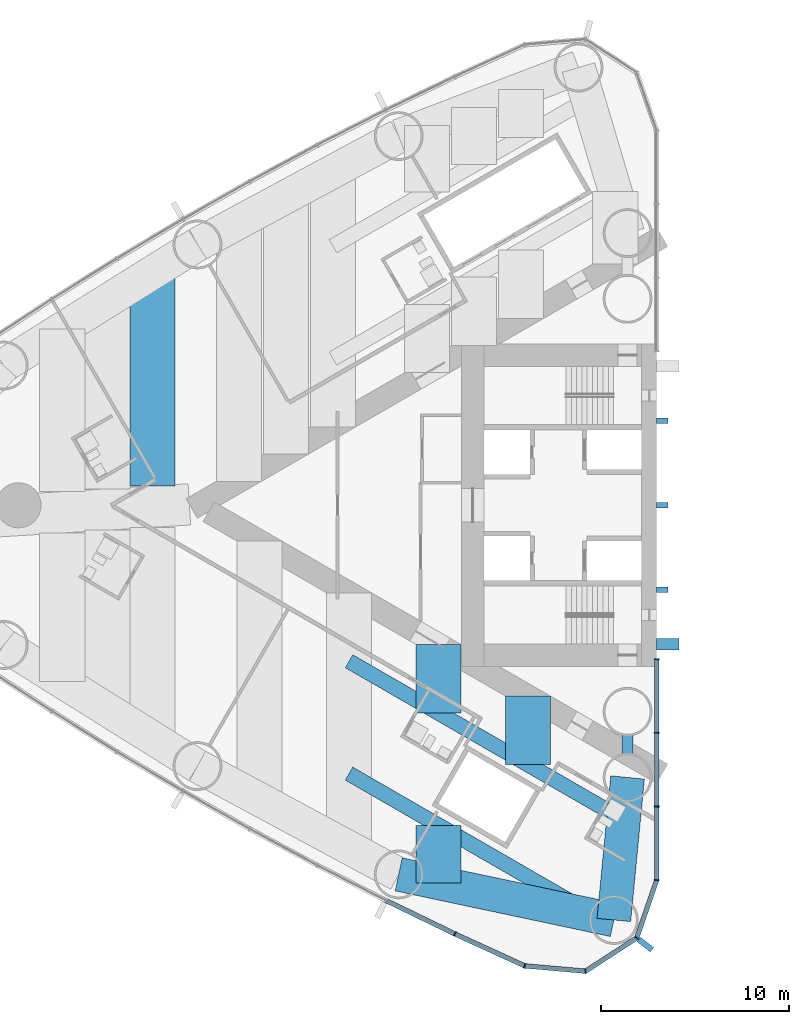
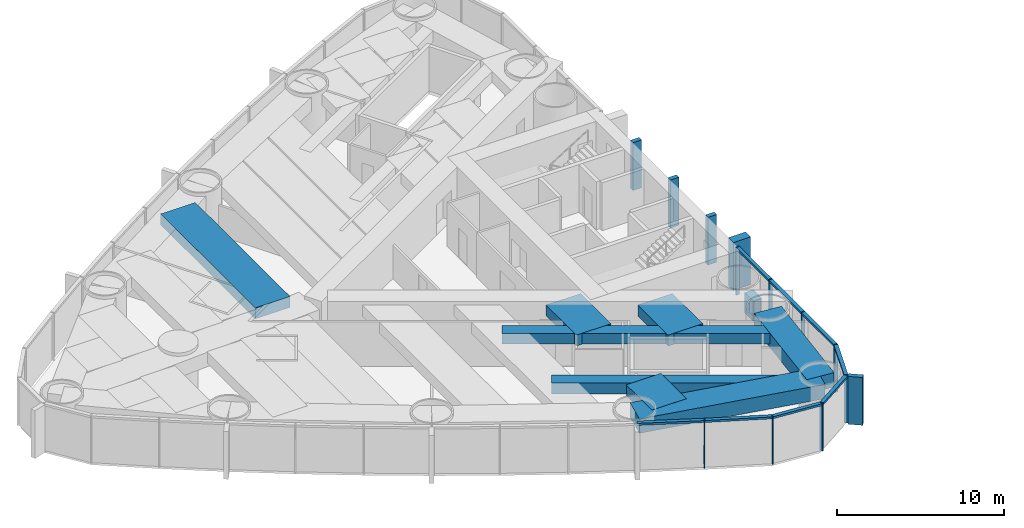
# One storey, part 3 of 18: 21 members, 9 beams, 1 element without a shape of its own.
"""IFC4 building model written with IfcOpenShell, lengths in metres."""

import ifcopenshell
import ifcopenshell.guid

model = None  # the IFC model being written
_history = None  # IfcOwnerHistory: only IFC2X3 demands one
_inside = {}  # id of a spatial element -> (the spatial element, [elements in it])
_under = {}  # id of a project, library or spatial element -> (it, [spatial elements below it])
_declared = {}  # id of a project -> (the project, [libraries it declares])
_typed = {}  # id of a type object -> (the type object, [elements of that type])
_made_of = {}  # id of a material, layer set ... -> (it, [elements and type objects made of it])


def new_model(schema):
    """Start an empty IFC model of exactly this schema.

    Asked for "IFC4X3", IfcOpenShell would pick the latest addendum, in which some entities
    have other attributes; the version numbers below select the first issue.
    IFC2X3 requires an IfcOwnerHistory on every rooted entity: one is made here for all.
    """
    global model, _history
    if schema == "IFC4X3":
        model = ifcopenshell.file(schema_version=(4, 3, 0, 0))
    else:
        model = ifcopenshell.file(schema=schema)
    _inside.clear()
    _under.clear()
    _declared.clear()
    _typed.clear()
    _made_of.clear()
    _history = None
    if model.schema == "IFC2X3":
        org = make("IfcOrganization", Name="unknown")
        user = make(
            "IfcPersonAndOrganization",
            ThePerson=make("IfcPerson", FamilyName="unknown"),
            TheOrganization=org,
        )
        app = make(
            "IfcApplication",
            ApplicationDeveloper=org,
            Version="unknown",
            ApplicationFullName="unknown",
            ApplicationIdentifier="unknown",
        )
        _history = make(
            "IfcOwnerHistory",
            OwningUser=user,
            OwningApplication=app,
            ChangeAction="ADDED",
            CreationDate=0,
        )
    return model


def make(cls, **values):
    """One entity of the class cls with the attributes given. An attribute that is None is left unset."""
    return model.create_entity(
        cls, **{name: value for name, value in values.items() if value is not None}
    )


def rooted(cls, **values):
    """An entity with a GlobalId (a new one), such as an element, a storey or a relation."""
    return make(cls, GlobalId=ifcopenshell.guid.new(), OwnerHistory=_history, **values)


def si_unit(unit_type, name, prefix=None):
    """IfcSIUnit, for example si_unit("LENGTHUNIT", "METRE", prefix="MILLI")."""
    return make("IfcSIUnit", UnitType=unit_type, Prefix=prefix, Name=name)


def assignment(units):
    """IfcUnitAssignment: the units of a project."""
    return None if units is None else make("IfcUnitAssignment", Units=units)


def point(xyz):
    """IfcCartesianPoint."""
    return None if xyz is None else make("IfcCartesianPoint", Coordinates=xyz)


def direction(xyz):
    """IfcDirection."""
    return None if xyz is None else make("IfcDirection", DirectionRatios=xyz)


def frame(location, z_axis=None, x_axis=None):
    """IfcAxis2Placement3D, a coordinate frame: its origin and axes. An axis left out is left unset."""
    return make(
        "IfcAxis2Placement3D",
        Location=point(location),
        Axis=direction(z_axis),
        RefDirection=direction(x_axis),
    )


def frame_2d(location, x_axis=None):
    """IfcAxis2Placement2D, a coordinate frame in the plane: its origin and x axis."""
    return make(
        "IfcAxis2Placement2D", Location=point(location), RefDirection=direction(x_axis)
    )


def origin():
    """The frame at (0, 0, 0) with its axes left unset."""
    return frame((0.0, 0.0, 0.0))


def origin_2d():
    """The frame at (0, 0) in the plane with its x axis left unset."""
    return frame_2d((0.0, 0.0))


def place(relative_to, where):
    """IfcLocalPlacement: puts the frame where relative to a parent placement (None: the world)."""
    return make(
        "IfcLocalPlacement", PlacementRelTo=relative_to, RelativePlacement=where
    )


def context(
    kind, dimensions, precision=None, world=None, true_north=None, identifier=None
):
    """IfcGeometricRepresentationContext, for example the 3D "Model" context."""
    return make(
        "IfcGeometricRepresentationContext",
        ContextIdentifier=identifier,
        ContextType=kind,
        CoordinateSpaceDimension=dimensions,
        Precision=precision,
        WorldCoordinateSystem=world,
        TrueNorth=true_north,
    )


def subcontext(parent, identifier, kind, view, scale=None):
    """IfcGeometricRepresentationSubContext, for example "Body" below "Model"."""
    return make(
        "IfcGeometricRepresentationSubContext",
        ContextIdentifier=identifier,
        ContextType=kind,
        ParentContext=parent,
        TargetScale=scale,
        TargetView=view,
    )


def project(units=None, contexts=None):
    """IfcProject with its units and contexts."""
    return rooted(
        "IfcProject",
        Name="project",
        RepresentationContexts=contexts,
        UnitsInContext=assignment(units),
    )


def spatial(cls, under=None, at=None, **own):
    """A site, building, storey or space (cls), placed at a placement, below another one or the project."""
    s = rooted(cls, ObjectPlacement=at, **own)
    if under is not None:
        _under.setdefault(under.id(), (under, []))[1].append(s)
    return s


def profile(cls, at=None, kind="AREA", **sizes):
    """A parametric profile (cls). Its sizes go by their IFC names, for example OverallWidth=200.0."""
    return make(cls, ProfileType=kind, Position=at, **sizes)


def rectangle(**sizes):
    """IfcRectangleProfileDef."""
    return profile("IfcRectangleProfileDef", **sizes)


def hollow_rectangle(**sizes):
    """IfcRectangleHollowProfileDef."""
    return profile("IfcRectangleHollowProfileDef", **sizes)


def extrude(swept, where, along, depth):
    """IfcExtrudedAreaSolid: the profile swept, set in the frame where, extruded along a direction by depth."""
    return make(
        "IfcExtrudedAreaSolid",
        SweptArea=swept,
        Position=where,
        ExtrudedDirection=direction(along),
        Depth=depth,
    )


def shape(context_of_items, identifier, shape_type, items):
    """IfcShapeRepresentation: the items that make up one representation, for example the "Body"."""
    return make(
        "IfcShapeRepresentation",
        ContextOfItems=context_of_items,
        RepresentationIdentifier=identifier,
        RepresentationType=shape_type,
        Items=items,
    )


def material(Name=None, Category=None):
    """IfcMaterial."""
    return make("IfcMaterial", Name=Name, Category=Category)


def material_profile(
    of_material, cross_section, Name=None, Category=None, Priority=None
):
    """IfcMaterialProfile: a cross section and its material."""
    return make(
        "IfcMaterialProfile",
        Name=Name,
        Material=of_material,
        Profile=cross_section,
        Priority=Priority,
        Category=Category,
    )


def profile_set(profiles, Name=None, composite=None):
    """IfcMaterialProfileSet."""
    return make(
        "IfcMaterialProfileSet",
        Name=Name,
        MaterialProfiles=profiles,
        CompositeProfile=composite,
    )


def made_of(thing, what):
    """Note that an element or type object is made of a material, layer set ...; save() writes the relation."""
    if what is not None:
        _made_of.setdefault(what.id(), (what, []))[1].append(thing)
    return thing


def type_object(cls, material=None, **own):
    """A type object (cls), such as IfcWallType, which elements share."""
    return made_of(rooted(cls, **own), material)


def element(
    cls,
    number,
    at=None,
    inside=None,
    cuts=None,
    type_object=None,
    material=None,
    context=None,
    identifier="Body",
    shape_type=None,
    held_by="IfcProductDefinitionShape",
    body=None,
    shapes=None,
    **own,
):
    """One element of the class cls, such as IfcWall. Its Tag is "e" and its number.

    at: its placement. inside: the storey or other place that contains it. cuts: it is an
    opening in that element (IfcRelVoidsElement). A single representation is given by context,
    identifier, shape_type and body (its items); several are given by shapes. held_by: the class
    of the entity that holds the representations. save() writes the other relations.
    """
    e = rooted(cls, Tag="e%d" % number, ObjectPlacement=at, **own)
    if body is not None:
        shapes = [shape(context, identifier, shape_type, body)]
    if shapes is not None:
        e.Representation = make(held_by, Representations=shapes)
    if inside is not None:
        _inside.setdefault(inside.id(), (inside, []))[1].append(e)
    if cuts is not None:
        rooted(
            "IfcRelVoidsElement", RelatingBuildingElement=cuts, RelatedOpeningElement=e
        )
    if type_object is not None:
        _typed.setdefault(type_object.id(), (type_object, []))[1].append(e)
    return made_of(e, material)


def aggregate(whole, parts):
    """IfcRelAggregates: a whole, such as a stair, and the parts it consists of."""
    return rooted("IfcRelAggregates", RelatingObject=whole, RelatedObjects=parts)


def save(model, path):
    """Write the relations noted so far, then the file.

    IfcRelAggregates (storeys below a building ...), IfcRelContainedInSpatialStructure (elements
    in a storey), IfcRelDefinesByType, IfcRelAssociatesMaterial and IfcRelDeclares: one each for
    every whole, place, type object, material and project.
    """
    for whole, parts in _under.values():
        aggregate(whole, parts)
    for where, things in _inside.values():
        rooted(
            "IfcRelContainedInSpatialStructure",
            RelatedElements=things,
            RelatingStructure=where,
        )
    for kind, things in _typed.values():
        rooted("IfcRelDefinesByType", RelatedObjects=things, RelatingType=kind)
    for what, things in _made_of.values():
        rooted("IfcRelAssociatesMaterial", RelatedObjects=things, RelatingMaterial=what)
    for by, libraries in _declared.values():
        rooted("IfcRelDeclares", RelatingContext=by, RelatedDefinitions=libraries)
    model.write(path)


model = new_model("IFC4")

# Units and contexts
model_context = context("Model", 3, precision=1e-05, world=origin(), true_north=direction((0.0, 1.0)))
body_context = subcontext(model_context, "Body", "Model", "MODEL_VIEW")
ifc_project = project(units=[si_unit("LENGTHUNIT", "METRE"), si_unit("AREAUNIT", "SQUARE_METRE"), si_unit("VOLUMEUNIT", "CUBIC_METRE"), si_unit("PLANEANGLEUNIT", "RADIAN"), si_unit("MASSUNIT", "GRAM", prefix="KILO")], contexts=[model_context])

# Site, building, storey
site_placement = place(None, origin())
site = spatial("IfcSite", under=ifc_project, at=site_placement, CompositionType="ELEMENT")
building_placement = place(site_placement, origin())
building = spatial("IfcBuilding", under=site, at=building_placement, Name="Lancet Gate Hotel", CompositionType="ELEMENT")
storey_placement = place(building_placement, frame((0.0, 0.0, 101.10009765625)))
storey = spatial("IfcBuildingStorey", under=building, at=storey_placement, Name="L26", CompositionType="ELEMENT", Elevation=101.10009765625)

# Curtain wall, members
ifc_material_1 = material(Name="Aluminium curtain wall", Category="aluminium")
curtain_wall_type = type_object("IfcCurtainWallType", Name="Tower unitised curtain wall", PredefinedType="USERDEFINED", material=ifc_material_1)
curtain_wall_placement = place(storey_placement, origin())
curtain_wall = element("IfcCurtainWall", 1, at=curtain_wall_placement, inside=storey, type_object=curtain_wall_type, Name="T1 L26 curtain wall 1", ObjectType="UNITISED CURTAIN WALL", PredefinedType="USERDEFINED")
ifc_material_2 = material(Name="Aluminium mullion", Category="aluminium")
ifc_material_profile_1 = material_profile(ifc_material_2, rectangle(XDim=0.06494140625, YDim=0.25, at=origin_2d()), Name="MULLION 65x250")
ifc_profile_set_1 = profile_set([ifc_material_profile_1], Name="Aluminium mullion")
member_type_1 = type_object("IfcMemberType", Name="Aluminium mullion 65x250", PredefinedType="MULLION", material=ifc_profile_set_1)
member_1_placement = place(storey_placement, frame((-38.25244140625, -22.83642578125, 0.0), z_axis=(0.0, 0.0, 1.0), x_axis=(0.904719609771, -0.426007544178, 0.0)))
member_1 = element("IfcMember", 2, at=member_1_placement, type_object=member_type_1, Name="T1 L26 curtain wall 1 mullion 29", PredefinedType="MULLION", context=body_context, shape_type="SweptSolid", body=[
    extrude(rectangle(XDim=0.06494140625, YDim=0.25, at=origin_2d()), origin(), (0.0, 0.0, 1.0), 3.5),
])
member_2_placement = place(storey_placement, frame((-34.5322265625, -24.53955078125, 0.0), z_axis=(0.0, 0.0, 1.0), x_axis=(0.961653318232, -0.27426792655, 0.0)))
member_2 = element("IfcMember", 3, at=member_2_placement, type_object=member_type_1, Name="T1 L26 curtain wall 1 mullion 30", PredefinedType="MULLION", context=body_context, shape_type="SweptSolid", body=[
    extrude(rectangle(XDim=0.06494140625, YDim=0.25, at=origin_2d()), origin(), (0.0, 0.0, 1.0), 3.5),
])
member_3_placement = place(storey_placement, frame((-31.289306640625, -24.822265625, 0.0), z_axis=(0.0, 0.0, 1.0), x_axis=(0.970242142288, 0.242136707934, 0.0)))
member_3 = element("IfcMember", 4, at=member_3_placement, type_object=member_type_1, Name="T1 L26 curtain wall 1 mullion 31", PredefinedType="MULLION", context=body_context, shape_type="SweptSolid", body=[
    extrude(rectangle(XDim=0.06494140625, YDim=0.25, at=origin_2d()), origin(), (0.0, 0.0, 1.0), 3.5),
])
member_4_placement = place(storey_placement, frame((-28.5595703125, -23.049072265625, 0.0), z_axis=(0.0, 0.0, 1.0), x_axis=(0.615574240878, 0.788078900851, 0.0)))
member_4 = element("IfcMember", 5, at=member_4_placement, type_object=member_type_1, Name="T1 L26 curtain wall 1 mullion 32", PredefinedType="MULLION", context=body_context, shape_type="SweptSolid", body=[
    extrude(rectangle(XDim=0.06494140625, YDim=0.25, at=origin_2d()), origin(), (0.0, 0.0, 1.0), 3.5),
])
member_5_placement = place(storey_placement, frame((-27.5, -19.97119140625, 0.0), z_axis=(0.0, 0.0, 1.0), x_axis=(0.149634446211, 0.988741388082, 0.0)))
member_5 = element("IfcMember", 6, at=member_5_placement, type_object=member_type_1, Name="T1 L26 curtain wall 1 mullion 33", PredefinedType="MULLION", context=body_context, shape_type="SweptSolid", body=[
    extrude(rectangle(XDim=0.06494140625, YDim=0.25, at=origin_2d()), origin(), (0.0, 0.0, 1.0), 3.5),
])
member_6_placement = place(storey_placement, frame((-27.5, -16.04736328125, 0.0), z_axis=(0.0, 0.0, 1.0), x_axis=(0.0, 1.0, 0.0)))
member_6 = element("IfcMember", 7, at=member_6_placement, type_object=member_type_1, Name="T1 L26 curtain wall 1 mullion 34", PredefinedType="MULLION", context=body_context, shape_type="SweptSolid", body=[
    extrude(rectangle(XDim=0.06494140625, YDim=0.25, at=origin_2d()), origin(), (0.0, 0.0, 1.0), 3.5),
])
member_7_placement = place(storey_placement, frame((-27.5, -12.123779296875, 0.0), z_axis=(0.0, 0.0, 1.0), x_axis=(0.0, 1.0, 0.0)))
member_7 = element("IfcMember", 8, at=member_7_placement, type_object=member_type_1, Name="T1 L26 curtain wall 1 mullion 35", PredefinedType="MULLION", context=body_context, shape_type="SweptSolid", body=[
    extrude(rectangle(XDim=0.06494140625, YDim=0.25, at=origin_2d()), origin(), (0.0, 0.0, 1.0), 3.5),
])
member_8_placement = place(storey_placement, frame((-27.5, -8.199951171875, 0.0), z_axis=(0.0, 0.0, 1.0), x_axis=(0.0, 1.0, 0.0)))
member_8 = element("IfcMember", 9, at=member_8_placement, type_object=member_type_1, Name="T1 L26 curtain wall 1 mullion 36", PredefinedType="MULLION", context=body_context, shape_type="SweptSolid", body=[
    extrude(rectangle(XDim=0.06494140625, YDim=0.25, at=origin_2d()), origin(), (0.0, 0.0, 1.0), 3.5),
])
ifc_material_3 = material(Name="Aluminium transom", Category="aluminium")
ifc_material_profile_2 = material_profile(ifc_material_3, rectangle(XDim=0.25, YDim=0.14990234375, at=origin_2d()), Name="TRANSOM 250x150")
ifc_profile_set_2 = profile_set([ifc_material_profile_2], Name="Aluminium transom")
member_type_2 = type_object("IfcMemberType", Name="Aluminium transom 250x150", PredefinedType="USERDEFINED", material=ifc_profile_set_2)
member_9_placement = place(storey_placement, frame((-41.906005859375, -21.067626953125, 3.4248046875), z_axis=(0.900065677074, -0.435754262117, 0.0), x_axis=(0.435754262117, 0.900065677074, 0.0)))
member_9 = element("IfcMember", 10, at=member_9_placement, type_object=member_type_2, Name="T1 L26 curtain wall 1 transom 28", ObjectType="TRANSOM", PredefinedType="USERDEFINED", context=body_context, shape_type="SweptSolid", body=[
    extrude(rectangle(XDim=0.25, YDim=0.14990234375, at=origin_2d()), origin(), (0.0, 0.0, 1.0), 4.026611328125),
])
member_10_placement = place(storey_placement, frame((-38.222900390625, -22.849853515625, 3.4248046875), z_axis=(0.909252284196, -0.416245460857, 0.0), x_axis=(0.416245460857, 0.909252284196, 0.0)))
member_10 = element("IfcMember", 11, at=member_10_placement, type_object=member_type_2, Name="T1 L26 curtain wall 1 transom 29", ObjectType="TRANSOM", PredefinedType="USERDEFINED", context=body_context, shape_type="SweptSolid", body=[
    extrude(rectangle(XDim=0.25, YDim=0.14990234375, at=origin_2d()), origin(), (0.0, 0.0, 1.0), 4.026611328125),
])
member_11_placement = place(storey_placement, frame((-34.499755859375, -24.542236328125, 3.4248046875), z_axis=(0.996213545522, -0.086940046686, 0.0), x_axis=(0.086940046686, 0.996213545522, 0.0)))
member_11 = element("IfcMember", 12, at=member_11_placement, type_object=member_type_2, Name="T1 L26 curtain wall 1 transom 30", ObjectType="TRANSOM", PredefinedType="USERDEFINED", context=body_context, shape_type="SweptSolid", body=[
    extrude(rectangle(XDim=0.25, YDim=0.14990234375, at=origin_2d()), origin(), (0.0, 0.0, 1.0), 3.18994140625),
])
member_12_placement = place(storey_placement, frame((-31.261962890625, -24.8046875, 3.4248046875), z_axis=(0.838550259452, 0.544824249068, 0.0), x_axis=(-0.544824249068, 0.838550259452, 0.0)))
member_12 = element("IfcMember", 13, at=member_12_placement, type_object=member_type_2, Name="T1 L26 curtain wall 1 transom 31", ObjectType="TRANSOM", PredefinedType="USERDEFINED", context=body_context, shape_type="SweptSolid", body=[
    extrude(rectangle(XDim=0.25, YDim=0.14990234375, at=origin_2d()), origin(), (0.0, 0.0, 1.0), 3.190185546875),
])
member_13_placement = place(storey_placement, frame((-28.549072265625, -23.018310546875, 3.4248046875), z_axis=(0.32553312754, 0.945530635609, 0.0), x_axis=(-0.945530635609, 0.32553312754, 0.0)))
member_13 = element("IfcMember", 14, at=member_13_placement, type_object=member_type_2, Name="T1 L26 curtain wall 1 transom 32", ObjectType="TRANSOM", PredefinedType="USERDEFINED", context=body_context, shape_type="SweptSolid", body=[
    extrude(rectangle(XDim=0.25, YDim=0.14990234375, at=origin_2d()), origin(), (0.0, 0.0, 1.0), 3.1904296875),
])
member_14_placement = place(storey_placement, frame((-27.5, -19.9384765625, 3.4248046875), z_axis=(0.0, 1.0, 0.0), x_axis=(-1.0, 0.0, 0.0)))
member_14 = element("IfcMember", 15, at=member_14_placement, type_object=member_type_2, Name="T1 L26 curtain wall 1 transom 33", ObjectType="TRANSOM", PredefinedType="USERDEFINED", context=body_context, shape_type="SweptSolid", body=[
    extrude(rectangle(XDim=0.25, YDim=0.14990234375, at=origin_2d()), origin(), (0.0, 0.0, 1.0), 3.858642578125),
])
member_15_placement = place(storey_placement, frame((-27.5, -16.014892578125, 3.4248046875), z_axis=(0.0, 1.0, 0.0), x_axis=(-1.0, 0.0, 0.0)))
member_15 = element("IfcMember", 16, at=member_15_placement, type_object=member_type_2, Name="T1 L26 curtain wall 1 transom 34", ObjectType="TRANSOM", PredefinedType="USERDEFINED", context=body_context, shape_type="SweptSolid", body=[
    extrude(rectangle(XDim=0.25, YDim=0.14990234375, at=origin_2d()), origin(), (0.0, 0.0, 1.0), 3.858642578125),
])
member_16_placement = place(storey_placement, frame((-27.5, -12.09130859375, 3.4248046875), z_axis=(0.0, 1.0, 0.0), x_axis=(-1.0, 0.0, 0.0)))
member_16 = element("IfcMember", 17, at=member_16_placement, type_object=member_type_2, Name="T1 L26 curtain wall 1 transom 35", ObjectType="TRANSOM", PredefinedType="USERDEFINED", context=body_context, shape_type="SweptSolid", body=[
    extrude(rectangle(XDim=0.25, YDim=0.14990234375, at=origin_2d()), origin(), (0.0, 0.0, 1.0), 3.85888671875),
])

# Beams
ifc_material_4 = material(Name="Concrete C50/60", Category="concrete")
ifc_material_profile_3 = material_profile(ifc_material_4, rectangle(XDim=1.800048828125, YDim=1.050048828125, at=origin_2d()), Name="RC 1800x1050")
ifc_profile_set_3 = profile_set([ifc_material_profile_3], Name="Concrete C50/60")
beam_type_1 = type_object("IfcBeamType", Name="Edge beam RC 1800x1050", PredefinedType="SPANDREL", material=ifc_profile_set_3)
beam_1_placement = place(storey_placement, frame((-41.244873046875, -19.665771484375, 2.724853515625), z_axis=(0.978282156247, -0.207277646573, 0.0), x_axis=(0.207277646573, 0.978282156247, 0.0)))
element("IfcBeam", 18, at=beam_1_placement, inside=storey, type_object=beam_type_1, Name="T1 edge beam EB1 L26", PredefinedType="SPANDREL", context=body_context, shape_type="SweptSolid", body=[
    extrude(rectangle(XDim=1.800048828125, YDim=1.050048828125, at=origin_2d()), origin(), (0.0, 0.0, 1.0), 11.71826171875),
])
beam_2_placement = place(storey_placement, frame((-29.050048828125, -14.5, 2.724853515625), z_axis=(-0.095802643786, -0.995400348324, 0.0), x_axis=(0.995400348324, -0.095802643786, 0.0)))
element("IfcBeam", 19, at=beam_2_placement, inside=storey, type_object=beam_type_1, Name="T1 edge beam EB1 L26", PredefinedType="SPANDREL", context=body_context, shape_type="SweptSolid", body=[
    extrude(rectangle(XDim=1.800048828125, YDim=1.050048828125, at=origin_2d()), origin(), (0.0, 0.0, 1.0), 7.6298828125),
])

# Member
ifc_material_5 = material(Name="Concrete C60/75", Category="concrete")
ifc_material_profile_4 = material_profile(ifc_material_5, rectangle(XDim=0.60009765625, YDim=1.199951171875, at=origin_2d()), Name="FIN 600x1200")
ifc_profile_set_4 = profile_set([ifc_material_profile_4], Name="Concrete C60/75")
member_type_3 = type_object("IfcMemberType", Name="Exposed concrete buttress pilaster 600x1200", PredefinedType="USERDEFINED", material=ifc_profile_set_4)
member_17_placement = place(storey_placement, frame((-26.909912109375, -7.39990234375, 0.0), z_axis=(0.0, 0.0, 1.0), x_axis=(0.0, 1.0, 0.0)))
element("IfcMember", 20, at=member_17_placement, inside=storey, type_object=member_type_3, Name="T1 buttress pilaster N L26", ObjectType="FIN", PredefinedType="USERDEFINED", context=body_context, shape_type="SweptSolid", body=[
    extrude(rectangle(XDim=0.60009765625, YDim=1.199951171875, at=origin_2d()), origin(), (0.0, 0.0, 1.0), 3.5),
])

ifc_material_6 = material(Name="Precast concrete C50/60", Category="concrete")
ifc_material_profile_5 = material_profile(ifc_material_6, rectangle(XDim=0.300048828125, YDim=0.89990234375, at=origin_2d()), Name="FIN 300x900")
ifc_profile_set_5 = profile_set([ifc_material_profile_5], Name="Precast concrete C50/60")
member_type_4 = type_object("IfcMemberType", Name="Exposed concrete fin 300x900", PredefinedType="USERDEFINED", material=ifc_profile_set_5)
member_18_placement = place(storey_placement, frame((-28.1064453125, -23.40283203125, 0.0), z_axis=(0.0, 0.0, 1.0), x_axis=(0.615574240878, 0.788078900851, 0.0)))
member_18 = element("IfcMember", 21, at=member_18_placement, type_object=member_type_4, Name="T1 L26 curtain wall 1 fin 32", ObjectType="FIN", PredefinedType="USERDEFINED", context=body_context, shape_type="SweptSolid", body=[
    extrude(rectangle(XDim=0.300048828125, YDim=0.89990234375, at=origin_2d()), origin(), (0.0, 0.0, 1.0), 3.5),
])

aggregate(curtain_wall, [member_1, member_2, member_3, member_4, member_18, member_5, member_6, member_7, member_8, member_9, member_10, member_11, member_12, member_13, member_14, member_15, member_16])

# Members
ifc_material_7 = material(Name="Concrete C60/75", Category="concrete")
ifc_material_profile_6 = material_profile(ifc_material_7, rectangle(XDim=0.300048828125, YDim=0.60009765625, at=origin_2d()), Name="FIN 300x600")
ifc_profile_set_6 = profile_set([ifc_material_profile_6], Name="Concrete C60/75")
member_type_5 = type_object("IfcMemberType", Name="Exposed concrete rib 300x600", PredefinedType="USERDEFINED", material=ifc_profile_set_6)
for number, where, z_axis, x_axis, name in (
    (22, (-27.2099609375, 4.5, 0.0), (0.0, 0.0, 1.0), (0.0, 1.0, 0.0), "T1 core rib 1 L26"),
    (23, (-27.2099609375, 0.0, 0.0), (0.0, 0.0, 1.0), (0.0, 1.0, 0.0), "T1 core rib 2 L26"),
    (24, (-27.2099609375, -4.5, 0.0), (0.0, 0.0, 1.0), (0.0, 1.0, 0.0), "T1 core rib 3 L26"),
):
    element("IfcMember", number, at=place(storey_placement, frame(where, z_axis=z_axis, x_axis=x_axis)), inside=storey, type_object=member_type_5, Name=name, ObjectType="FIN", PredefinedType="USERDEFINED", context=body_context, shape_type="SweptSolid", body=[
        extrude(rectangle(XDim=0.300048828125, YDim=0.60009765625, at=origin_2d()), origin(), (0.0, 0.0, 1.0), 3.5),
    ])

# Beams
ifc_material_8 = material(Name="Concrete C50/60", Category="concrete")
ifc_material_profile_7 = material_profile(ifc_material_8, rectangle(XDim=2.39990234375, YDim=0.800048828125, at=origin_2d()), Name="RC 2400x800")
ifc_profile_set_7 = profile_set([ifc_material_profile_7], Name="Concrete C50/60")
beam_type_2 = type_object("IfcBeamType", Name="Floor beam RC 2400x800", PredefinedType="BEAM", material=ifc_profile_set_7)
beam_3_placement = place(storey_placement, frame((-54.3681640625, 12.392333984375, 2.849853515625), z_axis=(0.0, -1.0, 0.0), x_axis=(1.0, 0.0, 0.0)))
element("IfcBeam", 25, at=beam_3_placement, inside=storey, type_object=beam_type_2, Name="T1 floor beam F13S L26", PredefinedType="BEAM", context=body_context, shape_type="SweptSolid", body=[
    extrude(rectangle(XDim=2.39990234375, YDim=0.800048828125, at=origin_2d()), origin(), (0.0, 0.0, 1.0), 11.364990234375),
])
beam_4_placement = place(storey_placement, frame((-34.353515625, -10.169921875, 2.849853515625), z_axis=(0.0, -1.0, 0.0), x_axis=(1.0, 0.0, 0.0)))
element("IfcBeam", 26, at=beam_4_placement, inside=storey, type_object=beam_type_2, Name="T1 floor beam F03NA L26", PredefinedType="BEAM", context=body_context, shape_type="SweptSolid", body=[
    extrude(rectangle(XDim=2.39990234375, YDim=0.800048828125, at=origin_2d()), origin(), (0.0, 0.0, 1.0), 3.645751953125),
])
beam_5_placement = place(storey_placement, frame((-39.122314453125, -7.41650390625, 2.849853515625), z_axis=(0.0, -1.0, 0.0), x_axis=(1.0, 0.0, 0.0)))
element("IfcBeam", 27, at=beam_5_placement, inside=storey, type_object=beam_type_2, Name="T1 floor beam F06NA L26", PredefinedType="BEAM", context=body_context, shape_type="SweptSolid", body=[
    extrude(rectangle(XDim=2.39990234375, YDim=0.800048828125, at=origin_2d()), origin(), (0.0, 0.0, 1.0), 3.64599609375),
])
beam_6_placement = place(storey_placement, frame((-39.122314453125, -17.0498046875, 2.849853515625), z_axis=(0.0, -1.0, 0.0), x_axis=(1.0, 0.0, 0.0)))
element("IfcBeam", 28, at=beam_6_placement, inside=storey, type_object=beam_type_2, Name="T1 floor beam F06NB L26", PredefinedType="BEAM", context=body_context, shape_type="SweptSolid", body=[
    extrude(rectangle(XDim=2.39990234375, YDim=0.800048828125, at=origin_2d()), origin(), (0.0, 0.0, 1.0), 3.065673828125),
])
ifc_material_9 = material(Name="Steel S460QL", Category="steel")
ifc_material_profile_8 = material_profile(ifc_material_9, hollow_rectangle(XDim=0.60009765625, YDim=1.5, WallThickness=0.050048828125, at=origin_2d()), Name="BOX 1500x600x50")
ifc_profile_set_8 = profile_set([ifc_material_profile_8], Name="Steel S460QL")
beam_type_3 = type_object("IfcBeamType", Name="Inner-face link beam BOX 1500x600x50", PredefinedType="BEAM", material=ifc_profile_set_8)
beam_7_placement = place(storey_placement, frame((-29.050048828125, -12.25, 2.5), z_axis=(0.0, -1.0, 0.0), x_axis=(1.0, 0.0, 0.0)))
element("IfcBeam", 29, at=beam_7_placement, inside=storey, type_object=beam_type_3, Name="T1 inner-face link beam LK1 L26", PredefinedType="BEAM", context=body_context, shape_type="SweptSolid", body=[
    extrude(hollow_rectangle(XDim=0.60009765625, YDim=1.5, WallThickness=0.050048828125, at=origin_2d()), origin(), (0.0, 0.0, 1.0), 1.0),
])
ifc_material_10 = material(Name="Steel S460QL", Category="steel")
ifc_material_profile_9 = material_profile(ifc_material_10, hollow_rectangle(XDim=0.800048828125, YDim=0.800048828125, WallThickness=0.080078125, at=origin_2d()), Name="BOX 800x800x80")
ifc_profile_set_9 = profile_set([ifc_material_profile_9], Name="Steel S460QL")
beam_type_4 = type_object("IfcBeamType", Name="Trimmer beam BOX 800x800x80", PredefinedType="BEAM", material=ifc_profile_set_9)
beam_8_placement = place(storey_placement, frame((-29.58447265625, -16.56884765625, 2.849853515625), z_axis=(-0.866040141834, 0.49997447208, 0.0), x_axis=(-0.49997447208, -0.866040141834, 0.0)))
element("IfcBeam", 30, at=beam_8_placement, inside=storey, type_object=beam_type_4, Name="T1 trimmer beam TR01N L26", PredefinedType="BEAM", context=body_context, shape_type="SweptSolid", body=[
    extrude(hollow_rectangle(XDim=0.800048828125, YDim=0.800048828125, WallThickness=0.080078125, at=origin_2d()), origin(), (0.0, 0.0, 1.0), 16.519775390625),
])
beam_9_placement = place(storey_placement, frame((-30.982421875, -21.7490234375, 2.849853515625), z_axis=(-0.866042392862, 0.4999705729, 0.0), x_axis=(-0.4999705729, -0.866042392862, 0.0)))
element("IfcBeam", 31, at=beam_9_placement, inside=storey, type_object=beam_type_4, Name="T1 trimmer beam TR03N L26", PredefinedType="BEAM", context=body_context, shape_type="SweptSolid", body=[
    extrude(hollow_rectangle(XDim=0.800048828125, YDim=0.800048828125, WallThickness=0.080078125, at=origin_2d()), origin(), (0.0, 0.0, 1.0), 14.90576171875),
])

save(model, "model.ifc")
